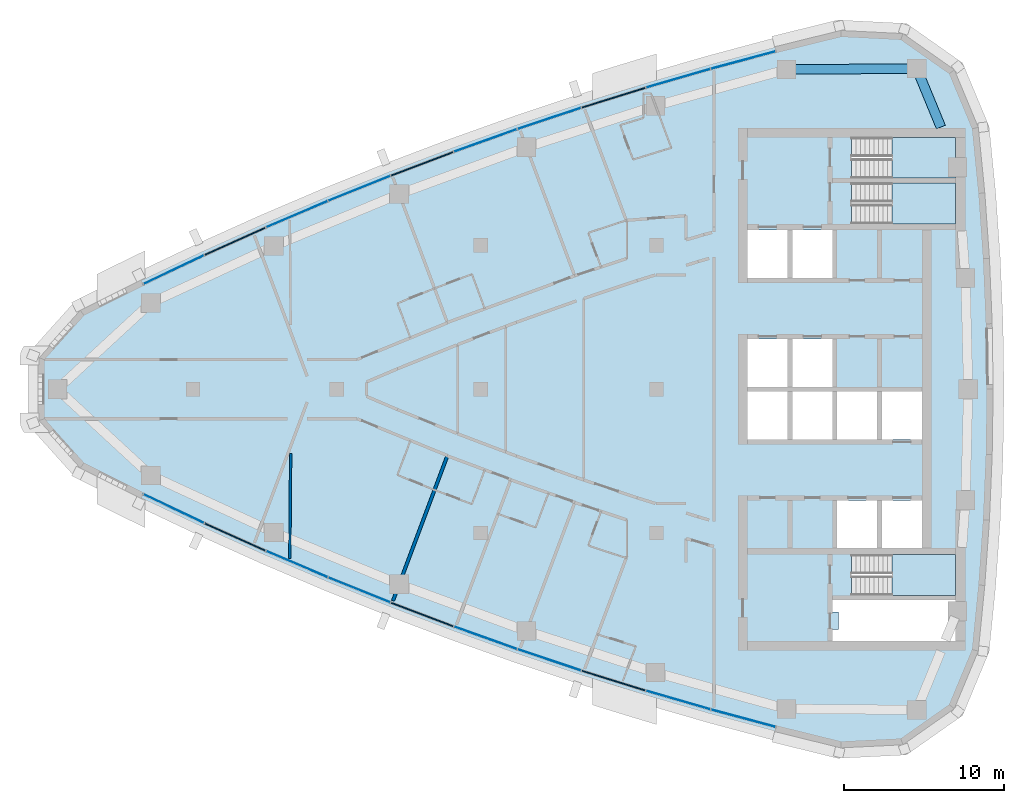
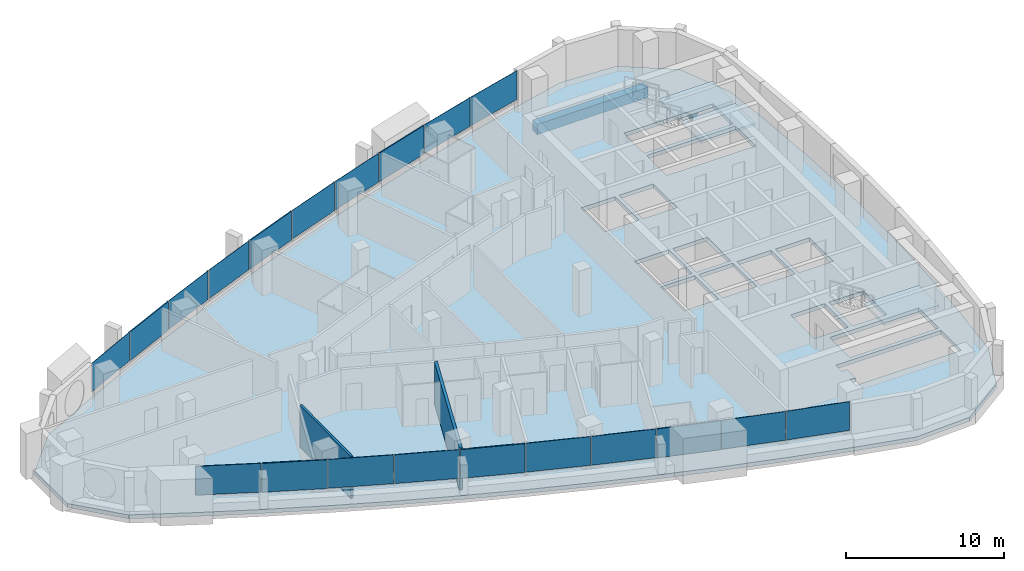
# One storey, part 7 of 16: 20 plates, 4 slabs, 2 beams, 2 walls, 1 opening, 13 elements without a shape of their own.
"""IFC4 building model written with IfcOpenShell, lengths in metres."""

from ifc_helpers import new_model, si_unit, direction, frame, frame_2d, origin, origin_2d, place, context, subcontext, project, spatial, polyline, rectangle, outline, extrude, material, layer, layer_set, material_profile, profile_set, type_object, element, aggregate, save


model = new_model("IFC4")

# Units and contexts
model_context = context("Model", 3, precision=1e-05, world=origin(), true_north=direction((0.0, 1.0)))
body_context = subcontext(model_context, "Body", "Model", "MODEL_VIEW")
ifc_project = project(units=[si_unit("LENGTHUNIT", "METRE"), si_unit("AREAUNIT", "SQUARE_METRE"), si_unit("VOLUMEUNIT", "CUBIC_METRE"), si_unit("PLANEANGLEUNIT", "RADIAN"), si_unit("MASSUNIT", "GRAM", prefix="KILO")], contexts=[model_context])

# Site, building, storey
site_placement = place(None, origin())
site = spatial("IfcSite", under=ifc_project, at=site_placement, CompositionType="ELEMENT")
building_placement = place(site_placement, origin())
building = spatial("IfcBuilding", under=site, at=building_placement, Name="Ostrand Prow Hotel Tower", CompositionType="ELEMENT")
storey_placement = place(building_placement, frame((0.0, 0.0, 224.35009765625)))
storey = spatial("IfcBuildingStorey", under=building, at=storey_placement, Name="L56", CompositionType="ELEMENT", Elevation=224.35009765625)

# Beams
ifc_material_1 = material(Name="Concrete C50/60", Category="concrete")
ifc_material_profile = material_profile(ifc_material_1, rectangle(XDim=0.60009765625, YDim=0.800048828125, at=origin_2d()), Name="RC 600x800")
ifc_profile_set = profile_set([ifc_material_profile], Name="Concrete C50/60")
beam_type = type_object("IfcBeamType", Name="Edge beam 600x800 C50/60", PredefinedType="SPANDREL", material=ifc_profile_set)
beam_1_placement = place(storey_placement, frame((62.7919921875, 16.39990234375, -0.7001953125), z_axis=(-0.380777709221, 0.924666608114, 0.0), x_axis=(-0.924666608114, -0.380777709221, 0.0)))
element("IfcBeam", 1, at=beam_1_placement, inside=storey, type_object=beam_type, Name="Edge beam B5-NE", PredefinedType="SPANDREL", context=body_context, shape_type="SweptSolid", body=[
    extrude(rectangle(XDim=0.60009765625, YDim=0.800048828125, at=origin_2d()), origin(), (0.0, 0.0, 1.0), 3.96044921875),
])
beam_2_placement = place(storey_placement, frame((61.283935546875, 20.06201171875, -0.7001953125), z_axis=(-0.999970657582, -0.007660546678, 0.0), x_axis=(0.007660546678, -0.999970657582, 0.0)))
element("IfcBeam", 2, at=beam_2_placement, inside=storey, type_object=beam_type, Name="Edge beam NE-N1", PredefinedType="SPANDREL", context=body_context, shape_type="SweptSolid", body=[
    extrude(rectangle(XDim=0.60009765625, YDim=0.800048828125, at=origin_2d()), origin(), (0.0, 0.0, 1.0), 8.15869140625),
])

# Curtain wall, plate
ifc_material_2 = material(Name="Insulated glass in bronze anodised frame", Category="glass")
ifc_layer_1 = layer(ifc_material_2, 0.199951171875)
ifc_layer_set_1 = layer_set([ifc_layer_1], Name="Insulated glass in bronze anodised frame")
curtain_wall_type = type_object("IfcCurtainWallType", Name="Strip curtain wall, fritted glass over bronze spandrel", PredefinedType="NOTDEFINED", material=ifc_layer_set_1)
curtain_wall_1_placement = place(storey_placement, origin())
curtain_wall_1 = element("IfcCurtainWall", 3, at=curtain_wall_1_placement, inside=storey, type_object=curtain_wall_type, Name="CW1 run CWS1", PredefinedType="NOTDEFINED")
ifc_material_3 = material(Name="Ceramic-fritted glass", Category="glass")
ifc_layer_2 = layer(ifc_material_3, 0.031982421875)
ifc_layer_set_2 = layer_set([ifc_layer_2], Name="Ceramic-fritted glass")
plate_type_1 = type_object("IfcPlateType", Name="Dot-fritted ceramic glass unit 32 mm", PredefinedType="CURTAIN_PANEL", material=ifc_layer_set_2)
plate_1_placement = place(storey_placement, frame((14.801025390625, -7.4765625, 1.02001953125), z_axis=(0.0, 0.0, 1.0), x_axis=(0.903370475577, -0.428861030937, 0.0)))
plate_1 = element("IfcPlate", 4, at=plate_1_placement, type_object=plate_type_1, Name="CW1 PN-D panel 1.2", PredefinedType="CURTAIN_PANEL", context=body_context, shape_type="SweptSolid", body=[
    extrude(rectangle(XDim=4.163818359375, YDim=0.031982421875, at=origin_2d()), origin(), (0.0, 0.0, 1.0), 2.22998046875),
])

# Curtain wall, plates
curtain_wall_2_placement = place(storey_placement, origin())
curtain_wall_2 = element("IfcCurtainWall", 5, at=curtain_wall_2_placement, inside=storey, type_object=curtain_wall_type, Name="CW1 run CWS2", PredefinedType="NOTDEFINED")
plate_2_placement = place(storey_placement, frame((22.502685546875, -10.944580078125, 1.02001953125), z_axis=(0.0, 0.0, 1.0), x_axis=(0.919907070112, -0.392136433347, 0.0)))
plate_2 = element("IfcPlate", 6, at=plate_2_placement, type_object=plate_type_1, Name="CW1 PN-D panel 1.2", PredefinedType="CURTAIN_PANEL", context=body_context, shape_type="SweptSolid", body=[
    extrude(rectangle(XDim=4.163818359375, YDim=0.031982421875, at=origin_2d()), origin(), (0.0, 0.0, 1.0), 2.22998046875),
])
plate_3_placement = place(storey_placement, frame((26.404541015625, -12.5615234375, 1.02001953125), z_axis=(0.0, 0.0, 1.0), x_axis=(0.927616710972, -0.373533449004, 0.0)))
plate_3 = element("IfcPlate", 7, at=plate_3_placement, type_object=plate_type_1, Name="CW1 PN-D panel 2.2", PredefinedType="CURTAIN_PANEL", context=body_context, shape_type="SweptSolid", body=[
    extrude(rectangle(XDim=4.163818359375, YDim=0.031982421875, at=origin_2d()), origin(), (0.0, 0.0, 1.0), 2.22998046875),
])
aggregate(curtain_wall_2, [plate_2, plate_3])

# Curtain wall, plate
curtain_wall_3_placement = place(storey_placement, origin())
curtain_wall_3 = element("IfcCurtainWall", 8, at=curtain_wall_3_placement, inside=storey, type_object=curtain_wall_type, Name="CW1 run CWS3", PredefinedType="NOTDEFINED")
plate_4_placement = place(storey_placement, frame((34.3017578125, -15.55810546875, 1.02001953125), z_axis=(0.0, 0.0, 1.0), x_axis=(0.941905718922, -0.335877383374, 0.0)))
plate_4 = element("IfcPlate", 9, at=plate_4_placement, type_object=plate_type_1, Name="CW1 PN-D panel 2.2", PredefinedType="CURTAIN_PANEL", context=body_context, shape_type="SweptSolid", body=[
    extrude(rectangle(XDim=4.163818359375, YDim=0.031982421875, at=origin_2d()), origin(), (0.0, 0.0, 1.0), 2.22998046875),
])

curtain_wall_4_placement = place(storey_placement, origin())
curtain_wall_4 = element("IfcCurtainWall", 10, at=curtain_wall_4_placement, inside=storey, type_object=curtain_wall_type, Name="CW1 run CWS4", PredefinedType="NOTDEFINED")
plate_5_placement = place(storey_placement, frame((38.2939453125, -16.9365234375, 1.02001953125), z_axis=(0.0, 0.0, 1.0), x_axis=(0.948478606268, -0.31684118017, 0.0)))
plate_5 = element("IfcPlate", 11, at=plate_5_placement, type_object=plate_type_1, Name="CW1 PN-D panel 1.2", PredefinedType="CURTAIN_PANEL", context=body_context, shape_type="SweptSolid", body=[
    extrude(rectangle(XDim=4.163818359375, YDim=0.031982421875, at=origin_2d()), origin(), (0.0, 0.0, 1.0), 2.22998046875),
])

# Curtain wall, plates
curtain_wall_5_placement = place(storey_placement, origin())
curtain_wall_5 = element("IfcCurtainWall", 12, at=curtain_wall_5_placement, inside=storey, type_object=curtain_wall_type, Name="CW1 run CWS5", PredefinedType="NOTDEFINED")
plate_6_placement = place(storey_placement, frame((46.357666015625, -19.450927734375, 1.02001953125), z_axis=(0.0, 0.0, 1.0), x_axis=(0.960467333745, -0.27839270969, 0.0)))
plate_6 = element("IfcPlate", 13, at=plate_6_placement, type_object=plate_type_1, Name="CW1 PN-D panel 1.2", PredefinedType="CURTAIN_PANEL", context=body_context, shape_type="SweptSolid", body=[
    extrude(rectangle(XDim=4.163818359375, YDim=0.031982421875, at=origin_2d()), origin(), (0.0, 0.0, 1.0), 2.22998046875),
])
plate_7_placement = place(storey_placement, frame((50.42578125, -20.5859375, 1.02001953125), z_axis=(0.0, 0.0, 1.0), x_axis=(0.965878831034, -0.258994370132, 0.0)))
plate_7 = element("IfcPlate", 14, at=plate_7_placement, type_object=plate_type_1, Name="CW1 PN-D panel 2.2", PredefinedType="CURTAIN_PANEL", context=body_context, shape_type="SweptSolid", body=[
    extrude(rectangle(XDim=4.163818359375, YDim=0.031982421875, at=origin_2d()), origin(), (0.0, 0.0, 1.0), 2.22998046875),
])
aggregate(curtain_wall_5, [plate_6, plate_7])

curtain_wall_6_placement = place(storey_placement, origin())
curtain_wall_6 = element("IfcCurtainWall", 15, at=curtain_wall_6_placement, inside=storey, type_object=curtain_wall_type, Name="CW1 run CWN1", PredefinedType="NOTDEFINED")
plate_8_placement = place(storey_placement, frame((50.42578125, 20.5859375, 1.02001953125), z_axis=(0.0, 0.0, 1.0), x_axis=(-0.965878831034, -0.258994370132, 0.0)))
plate_8 = element("IfcPlate", 16, at=plate_8_placement, type_object=plate_type_1, Name="CW1 PN-D panel 1.2", PredefinedType="CURTAIN_PANEL", context=body_context, shape_type="SweptSolid", body=[
    extrude(rectangle(XDim=4.163818359375, YDim=0.031982421875, at=origin_2d()), origin(), (0.0, 0.0, 1.0), 2.22998046875),
])
plate_9_placement = place(storey_placement, frame((46.357666015625, 19.450927734375, 1.02001953125), z_axis=(0.0, 0.0, 1.0), x_axis=(-0.960467333745, -0.27839270969, 0.0)))
plate_9 = element("IfcPlate", 17, at=plate_9_placement, type_object=plate_type_1, Name="CW1 PN-D panel 2.2", PredefinedType="CURTAIN_PANEL", context=body_context, shape_type="SweptSolid", body=[
    extrude(rectangle(XDim=4.163818359375, YDim=0.031982421875, at=origin_2d()), origin(), (0.0, 0.0, 1.0), 2.22998046875),
])
aggregate(curtain_wall_6, [plate_8, plate_9])

# Curtain wall, plate
curtain_wall_7_placement = place(storey_placement, origin())
curtain_wall_7 = element("IfcCurtainWall", 18, at=curtain_wall_7_placement, inside=storey, type_object=curtain_wall_type, Name="CW1 run CWN2", PredefinedType="NOTDEFINED")
plate_10_placement = place(storey_placement, frame((38.2939453125, 16.9365234375, 1.02001953125), z_axis=(0.0, 0.0, 1.0), x_axis=(-0.948478606268, -0.31684118017, 0.0)))
plate_10 = element("IfcPlate", 19, at=plate_10_placement, type_object=plate_type_1, Name="CW1 PN-D panel 2.2", PredefinedType="CURTAIN_PANEL", context=body_context, shape_type="SweptSolid", body=[
    extrude(rectangle(XDim=4.163818359375, YDim=0.031982421875, at=origin_2d()), origin(), (0.0, 0.0, 1.0), 2.22998046875),
])

curtain_wall_8_placement = place(storey_placement, origin())
curtain_wall_8 = element("IfcCurtainWall", 20, at=curtain_wall_8_placement, inside=storey, type_object=curtain_wall_type, Name="CW1 run CWN3", PredefinedType="NOTDEFINED")
plate_11_placement = place(storey_placement, frame((34.3017578125, 15.55810546875, 1.02001953125), z_axis=(0.0, 0.0, 1.0), x_axis=(-0.941905718922, -0.335877383374, 0.0)))
plate_11 = element("IfcPlate", 21, at=plate_11_placement, type_object=plate_type_1, Name="CW1 PN-D panel 1.2", PredefinedType="CURTAIN_PANEL", context=body_context, shape_type="SweptSolid", body=[
    extrude(rectangle(XDim=4.163818359375, YDim=0.031982421875, at=origin_2d()), origin(), (0.0, 0.0, 1.0), 2.22998046875),
])

# Curtain wall, plates
curtain_wall_9_placement = place(storey_placement, origin())
curtain_wall_9 = element("IfcCurtainWall", 22, at=curtain_wall_9_placement, inside=storey, type_object=curtain_wall_type, Name="CW1 run CWN4", PredefinedType="NOTDEFINED")
plate_12_placement = place(storey_placement, frame((26.404541015625, 12.5615234375, 1.02001953125), z_axis=(0.0, 0.0, 1.0), x_axis=(-0.927616710972, -0.373533449004, 0.0)))
plate_12 = element("IfcPlate", 23, at=plate_12_placement, type_object=plate_type_1, Name="CW1 PN-D panel 1.2", PredefinedType="CURTAIN_PANEL", context=body_context, shape_type="SweptSolid", body=[
    extrude(rectangle(XDim=4.163818359375, YDim=0.031982421875, at=origin_2d()), origin(), (0.0, 0.0, 1.0), 2.22998046875),
])
plate_13_placement = place(storey_placement, frame((22.502685546875, 10.944580078125, 1.02001953125), z_axis=(0.0, 0.0, 1.0), x_axis=(-0.919907070112, -0.392136433347, 0.0)))
plate_13 = element("IfcPlate", 24, at=plate_13_placement, type_object=plate_type_1, Name="CW1 PN-D panel 2.2", PredefinedType="CURTAIN_PANEL", context=body_context, shape_type="SweptSolid", body=[
    extrude(rectangle(XDim=4.163818359375, YDim=0.031982421875, at=origin_2d()), origin(), (0.0, 0.0, 1.0), 2.22998046875),
])
aggregate(curtain_wall_9, [plate_12, plate_13])

# Curtain wall, plate
curtain_wall_10_placement = place(storey_placement, origin())
curtain_wall_10 = element("IfcCurtainWall", 25, at=curtain_wall_10_placement, inside=storey, type_object=curtain_wall_type, Name="CW1 run CWN5", PredefinedType="NOTDEFINED")
plate_14_placement = place(storey_placement, frame((14.801025390625, 7.4765625, 1.02001953125), z_axis=(0.0, 0.0, 1.0), x_axis=(-0.903370475577, -0.428861030937, 0.0)))
plate_14 = element("IfcPlate", 26, at=plate_14_placement, type_object=plate_type_1, Name="CW1 PN-D panel 2.2", PredefinedType="CURTAIN_PANEL", context=body_context, shape_type="SweptSolid", body=[
    extrude(rectangle(XDim=4.163818359375, YDim=0.031982421875, at=origin_2d()), origin(), (0.0, 0.0, 1.0), 2.22998046875),
])

# Plate
ifc_material_4 = material(Name="Fritted glass in bronze vent frame", Category="glass")
ifc_layer_3 = layer(ifc_material_4, 0.080078125)
ifc_layer_set_3 = layer_set([ifc_layer_3], Name="Fritted glass in bronze vent frame")
plate_type_2 = type_object("IfcPlateType", Name="Operable vent panel 80 mm", PredefinedType="CURTAIN_PANEL", material=ifc_layer_set_3)
plate_15_placement = place(storey_placement, frame((18.634521484375, -9.249267578125, 1.02001953125), z_axis=(0.0, 0.0, 1.0), x_axis=(0.911823681514, -0.41058199404, 0.0)))
plate_15 = element("IfcPlate", 27, at=plate_15_placement, type_object=plate_type_2, Name="CW1 PN-O2 panel 2.2", PredefinedType="CURTAIN_PANEL", context=body_context, shape_type="SweptSolid", body=[
    extrude(rectangle(XDim=4.163818359375, YDim=0.080078125, at=origin_2d()), origin(), (0.0, 0.0, 1.0), 2.22998046875),
])

aggregate(curtain_wall_1, [plate_1, plate_15])

plate_16_placement = place(storey_placement, frame((30.337890625, -14.099609375, 1.02001953125), z_axis=(0.0, 0.0, 1.0), x_axis=(0.934950813567, -0.354777361469, 0.0)))
plate_16 = element("IfcPlate", 28, at=plate_16_placement, type_object=plate_type_2, Name="CW1 PN-O2 panel 1.2", PredefinedType="CURTAIN_PANEL", context=body_context, shape_type="SweptSolid", body=[
    extrude(rectangle(XDim=4.163818359375, YDim=0.080078125, at=origin_2d()), origin(), (0.0, 0.0, 1.0), 2.22998046875),
])

aggregate(curtain_wall_3, [plate_16, plate_4])

plate_17_placement = place(storey_placement, frame((42.31298828125, -18.234375, 1.02001953125), z_axis=(0.0, 0.0, 1.0), x_axis=(0.95466629023, -0.297678138765, 0.0)))
plate_17 = element("IfcPlate", 29, at=plate_17_placement, type_object=plate_type_2, Name="CW1 PN-O2 panel 2.2", PredefinedType="CURTAIN_PANEL", context=body_context, shape_type="SweptSolid", body=[
    extrude(rectangle(XDim=4.163818359375, YDim=0.080078125, at=origin_2d()), origin(), (0.0, 0.0, 1.0), 2.22998046875),
])

aggregate(curtain_wall_4, [plate_5, plate_17])

plate_18_placement = place(storey_placement, frame((42.31298828125, 18.234375, 1.02001953125), z_axis=(0.0, 0.0, 1.0), x_axis=(-0.95466629023, -0.297678138765, 0.0)))
plate_18 = element("IfcPlate", 30, at=plate_18_placement, type_object=plate_type_2, Name="CW1 PN-O2 panel 1.2", PredefinedType="CURTAIN_PANEL", context=body_context, shape_type="SweptSolid", body=[
    extrude(rectangle(XDim=4.163818359375, YDim=0.080078125, at=origin_2d()), origin(), (0.0, 0.0, 1.0), 2.22998046875),
])

aggregate(curtain_wall_7, [plate_18, plate_10])

plate_19_placement = place(storey_placement, frame((30.337890625, 14.099609375, 1.02001953125), z_axis=(0.0, 0.0, 1.0), x_axis=(-0.934950813567, -0.354777361469, 0.0)))
plate_19 = element("IfcPlate", 31, at=plate_19_placement, type_object=plate_type_2, Name="CW1 PN-O2 panel 2.2", PredefinedType="CURTAIN_PANEL", context=body_context, shape_type="SweptSolid", body=[
    extrude(rectangle(XDim=4.163818359375, YDim=0.080078125, at=origin_2d()), origin(), (0.0, 0.0, 1.0), 2.22998046875),
])

aggregate(curtain_wall_8, [plate_11, plate_19])

plate_20_placement = place(storey_placement, frame((18.634521484375, 9.249267578125, 1.02001953125), z_axis=(0.0, 0.0, 1.0), x_axis=(-0.911823681514, -0.41058199404, 0.0)))
plate_20 = element("IfcPlate", 32, at=plate_20_placement, type_object=plate_type_2, Name="CW1 PN-O2 panel 1.2", PredefinedType="CURTAIN_PANEL", context=body_context, shape_type="SweptSolid", body=[
    extrude(rectangle(XDim=4.163818359375, YDim=0.080078125, at=origin_2d()), origin(), (0.0, 0.0, 1.0), 2.22998046875),
])

aggregate(curtain_wall_10, [plate_20, plate_14])

# Slab, opening
ifc_material_5 = material(Name="Concrete C40/50", Category="concrete")
ifc_layer_4 = layer(ifc_material_5, 0.300048828125)
ifc_layer_set_4 = layer_set([ifc_layer_4], Name="Concrete C40/50")
slab_type_1 = type_object("IfcSlabType", Name="PT flat plate 300 C40/50", PredefinedType="FLOOR", material=ifc_layer_set_4)
slab_1_placement = place(storey_placement, frame((0.0, 0.0, -0.300048828125)))
slab_1 = element("IfcSlab", 33, at=slab_1_placement, inside=storey, type_object=slab_type_1, Name="Floor slab L56-1", PredefinedType="FLOOR", context=body_context, shape_type="SweptSolid", body=[
    extrude(outline(polyline([(8.85205078125, 5.097412109375), (12.679443359375, 7.009765625), (16.50390625, 8.825439453125), (20.364013671875, 10.563720703125), (24.258544921875, 12.223876953125), (28.185791015625, 13.80517578125), (32.143798828125, 15.30712890625), (36.131591796875, 16.72900390625), (40.14697265625, 18.0703125), (44.188720703125, 19.330810546875), (48.2548828125, 20.50927734375), (52.343994140625, 21.605712890625), (56.4873046875, 22.627685546875), (60.48193359375, 22.4287109375), (63.7822265625, 20.107177734375), (65.320068359375, 16.414794921875), (65.728515625, 12.29736328125), (66.018310546875, 8.20361328125), (66.19189453125, 4.103515625), (66.25, 0.0), (66.19189453125, -4.103515625), (66.018310546875, -8.20361328125), (65.728515625, -12.29736328125), (65.320068359375, -16.414794921875), (63.7822265625, -20.107177734375), (60.48193359375, -22.4287109375), (56.4873046875, -22.627685546875), (52.343994140625, -21.605712890625), (48.2548828125, -20.50927734375), (44.188720703125, -19.330810546875), (40.14697265625, -18.0703125), (36.131591796875, -16.72900390625), (32.143798828125, -15.30712890625), (28.185791015625, -13.80517578125), (24.258544921875, -12.223876953125), (20.364013671875, -10.563720703125), (16.50390625, -8.825439453125), (12.679443359375, -7.009765625), (8.85205078125, -5.097412109375), (6.127685546875, -2.06298828125), (6.127685546875, 2.06298828125), (8.85205078125, 5.097412109375)]), holes=[polyline([(50.699951171875, 6.949951171875), (53.199951171875, 6.949951171875), (53.199951171875, 9.949951171875), (50.699951171875, 9.949951171875), (50.699951171875, 6.949951171875)]), polyline([(53.5, 6.949951171875), (56.0, 6.949951171875), (56.0, 9.949951171875), (53.5, 9.949951171875), (53.5, 6.949951171875)]), polyline([(50.699951171875, 0.14990234375), (53.199951171875, 0.14990234375), (53.199951171875, 3.14990234375), (50.699951171875, 3.14990234375), (50.699951171875, 0.14990234375)]), polyline([(53.5, 0.14990234375), (56.0, 0.14990234375), (56.0, 3.14990234375), (53.5, 3.14990234375), (53.5, 0.14990234375)]), polyline([(50.699951171875, -3.14990234375), (53.199951171875, -3.14990234375), (53.199951171875, -0.14990234375), (50.699951171875, -0.14990234375), (50.699951171875, -3.14990234375)]), polyline([(53.5, -3.14990234375), (56.0, -3.14990234375), (56.0, -0.14990234375), (53.5, -0.14990234375), (53.5, -3.14990234375)]), polyline([(56.300048828125, -3.14990234375), (58.800048828125, -3.14990234375), (58.800048828125, -0.14990234375), (56.300048828125, -0.14990234375), (56.300048828125, -3.14990234375)]), polyline([(59.10009765625, -3.14990234375), (61.60009765625, -3.14990234375), (61.60009765625, -0.14990234375), (59.10009765625, -0.14990234375), (59.10009765625, -3.14990234375)]), polyline([(56.300048828125, -9.949951171875), (58.800048828125, -9.949951171875), (58.800048828125, -6.949951171875), (56.300048828125, -6.949951171875), (56.300048828125, -9.949951171875)]), polyline([(59.10009765625, -9.949951171875), (61.60009765625, -9.949951171875), (61.60009765625, -6.949951171875), (59.10009765625, -6.949951171875), (59.10009765625, -9.949951171875)]), polyline([(57.200927734375, 10.35107421875), (57.200927734375, 12.89892578125), (63.718994140625, 12.89892578125), (63.718994140625, 10.35107421875), (57.200927734375, 10.35107421875)]), polyline([(57.200927734375, 13.200927734375), (57.200927734375, 15.7490234375), (63.718994140625, 15.7490234375), (63.718994140625, 13.200927734375), (57.200927734375, 13.200927734375)]), polyline([(57.200927734375, -12.89892578125), (57.200927734375, -10.35107421875), (63.718994140625, -10.35107421875), (63.718994140625, -12.89892578125), (57.200927734375, -12.89892578125)]), polyline([(56.0, -13.949951171875), (56.0, -13.199951171875), (63.719970703125, -13.199951171875), (63.719970703125, -15.75), (56.0, -15.75), (56.0, -15.050048828125), (56.39990234375, -15.050048828125), (56.39990234375, -13.949951171875), (56.0, -13.949951171875)])]), origin(), (0.0, 0.0, 1.0), 0.300048828125),
])
opening_placement = place(slab_1_placement, origin())
element("IfcOpeningElement", 34, at=opening_placement, cuts=slab_1, Name="Shaft opening 1", PredefinedType="OPENING", context=body_context, shape_type="SweptSolid", body=[
    extrude(outline(polyline([(56.0, -13.949951171875), (56.0, -13.199951171875), (63.719970703125, -13.199951171875), (63.719970703125, -15.75), (56.0, -15.75), (56.0, -15.050048828125), (56.39990234375, -15.050048828125), (56.39990234375, -13.949951171875), (56.0, -13.949951171875)])), origin(), (0.0, 0.0, 1.0), 0.300048828125),
])

# Stair, slab
ifc_material_6 = material(Name="Concrete C40/50", Category="concrete")
stair_type = type_object("IfcStairType", Name="Exit stair 1200 upper zone", PredefinedType="HALF_TURN_STAIR", material=ifc_material_6)
stair_1_placement = place(storey_placement, origin())
stair_1 = element("IfcStair", 35, at=stair_1_placement, inside=storey, type_object=stair_type, Name="L56 ST1C", PredefinedType="HALF_TURN_STAIR")
ifc_material_7 = material(Name="Concrete C40/50", Category="concrete")
ifc_layer_5 = layer(ifc_material_7, 0.199951171875)
ifc_layer_set_5 = layer_set([ifc_layer_5], Name="Concrete C40/50")
slab_type_2 = type_object("IfcSlabType", Name="Stair landing 200 concrete", PredefinedType="LANDING", material=ifc_layer_set_5)
slab_2_placement = place(storey_placement, frame((0.0, 0.0, 1.574951171875)))
slab_2 = element("IfcSlab", 36, at=slab_2_placement, type_object=slab_type_2, Name="ST1C landing 1", PredefinedType="LANDING", context=body_context, shape_type="SweptSolid", body=[
    extrude(outline(polyline([(59.719970703125, 10.35009765625), (63.719970703125, 10.35009765625), (63.719970703125, 12.89990234375), (59.719970703125, 12.89990234375), (59.719970703125, 10.35009765625)])), origin(), (0.0, 0.0, 1.0), 0.199951171875),
])
aggregate(stair_1, [slab_2])

stair_2_placement = place(storey_placement, origin())
stair_2 = element("IfcStair", 37, at=stair_2_placement, inside=storey, type_object=stair_type, Name="L56 ST3C", PredefinedType="HALF_TURN_STAIR")
slab_3_placement = place(storey_placement, frame((0.0, 0.0, 1.574951171875)))
slab_3 = element("IfcSlab", 38, at=slab_3_placement, type_object=slab_type_2, Name="ST3C landing 1", PredefinedType="LANDING", context=body_context, shape_type="SweptSolid", body=[
    extrude(outline(polyline([(59.719970703125, 13.199951171875), (63.719970703125, 13.199951171875), (63.719970703125, 15.75), (59.719970703125, 15.75), (59.719970703125, 13.199951171875)])), origin(), (0.0, 0.0, 1.0), 0.199951171875),
])
aggregate(stair_2, [slab_3])

stair_3_placement = place(storey_placement, origin())
stair_3 = element("IfcStair", 39, at=stair_3_placement, inside=storey, type_object=stair_type, Name="L56 ST2C", PredefinedType="HALF_TURN_STAIR")
slab_4_placement = place(storey_placement, frame((0.0, 0.0, 1.574951171875)))
slab_4 = element("IfcSlab", 40, at=slab_4_placement, type_object=slab_type_2, Name="ST2C landing 1", PredefinedType="LANDING", context=body_context, shape_type="SweptSolid", body=[
    extrude(outline(polyline([(59.719970703125, -12.89990234375), (63.719970703125, -12.89990234375), (63.719970703125, -10.35009765625), (59.719970703125, -10.35009765625), (59.719970703125, -12.89990234375)])), origin(), (0.0, 0.0, 1.0), 0.199951171875),
])
aggregate(stair_3, [slab_4])

# Walls
ifc_material_8 = material(Name="Plasterboard partition")
ifc_layer_6 = layer(ifc_material_8, 0.14990234375)
ifc_layer_set_6 = layer_set([ifc_layer_6], Name="Plasterboard partition")
wall_type_1 = type_object("IfcWallType", Name="Partition 150 room partition", PredefinedType="PARTITIONING", material=ifc_layer_set_6)
wall_1_placement = place(storey_placement, frame((22.1123046875, -4.022705078125, 0.0), z_axis=(0.0, 0.0, 1.0), x_axis=(-0.008379594055, -0.999964890585, 0.0)))
element("IfcWall", 41, at=wall_1_placement, inside=storey, type_object=wall_type_1, Name="ROOM PARTITION", PredefinedType="PARTITIONING", context=body_context, shape_type="SweptSolid", body=[
    extrude(rectangle(XDim=6.555419921875, YDim=0.14990234375, at=frame_2d((3.27783203125, 0.0))), origin(), (0.0, 0.0, 1.0), 3.25),
])
ifc_material_9 = material(Name="Plasterboard partition")
ifc_layer_7 = layer(ifc_material_9, 0.199951171875)
ifc_layer_set_7 = layer_set([ifc_layer_7], Name="Plasterboard partition")
wall_type_2 = type_object("IfcWallType", Name="Partition 200 key partition", PredefinedType="PARTITIONING", material=ifc_layer_set_7)
wall_2_placement = place(storey_placement, frame((28.51416015625, -13.234619140625, 0.0), z_axis=(0.0, 0.0, 1.0), x_axis=(0.351126199585, 0.936328143316, 0.0)))
element("IfcWall", 42, at=wall_2_placement, inside=storey, type_object=wall_type_2, Name="KEY PARTITION", PredefinedType="PARTITIONING", context=body_context, shape_type="SweptSolid", body=[
    extrude(rectangle(XDim=9.700927734375, YDim=0.199951171875, at=frame_2d((4.8505859375, 0.0))), origin(), (0.0, 0.0, 1.0), 3.25),
])

save(model, "model.ifc")
